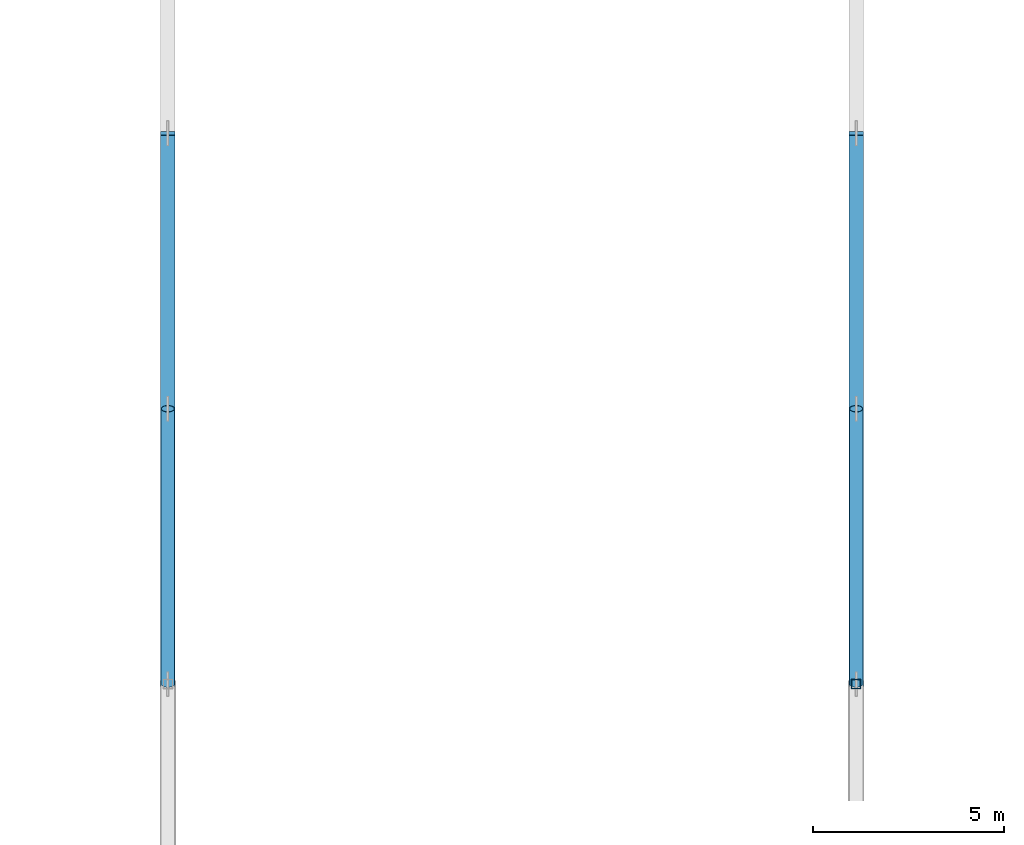
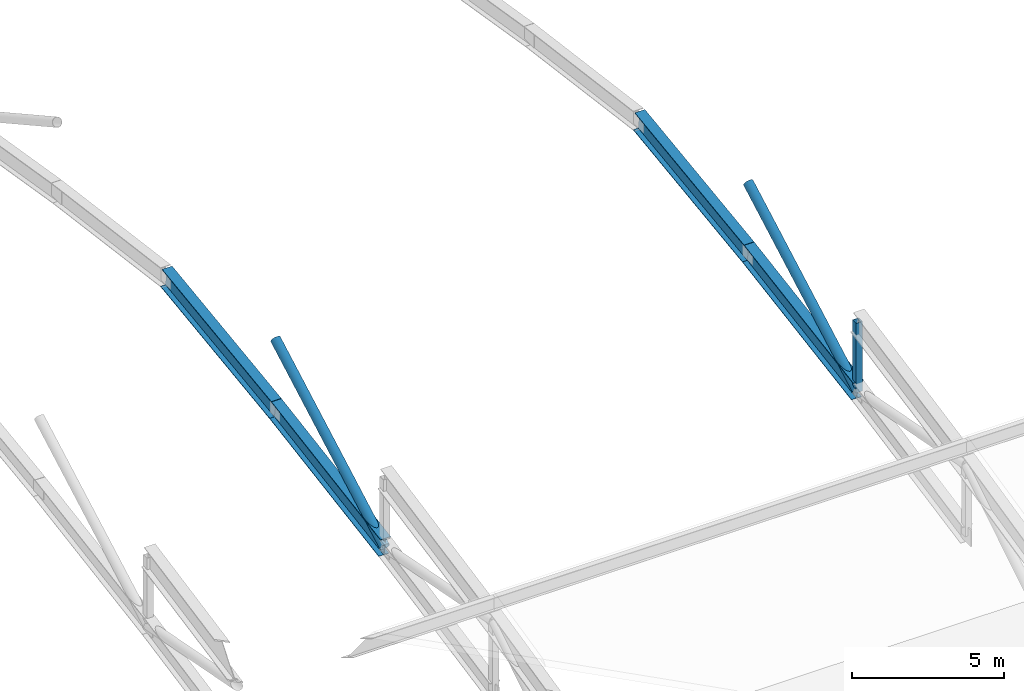
# One storey, part 20 of 124: 7 members.
"""IFC4 building model written with IfcOpenShell, lengths in metres."""

from ifc_helpers import new_model, si_unit, direction, frame, origin, origin_2d, place, context, subcontext, project, spatial, hollow_rectangle, hollow_circle, i_section, extrude, material, material_profile, profile_set, type_object, element, save


model = new_model("IFC4")

# Units and contexts
model_context = context("Model", 3, precision=1e-05, world=origin(), true_north=direction((0.0, 1.0)))
body_context = subcontext(model_context, "Body", "Model", "MODEL_VIEW")
ifc_project = project(units=[si_unit("LENGTHUNIT", "METRE"), si_unit("AREAUNIT", "SQUARE_METRE"), si_unit("VOLUMEUNIT", "CUBIC_METRE"), si_unit("PLANEANGLEUNIT", "RADIAN"), si_unit("MASSUNIT", "GRAM", prefix="KILO")], contexts=[model_context])

# Site, building, storey
site_placement = place(None, origin())
site = spatial("IfcSite", under=ifc_project, at=site_placement, CompositionType="ELEMENT")
building_placement = place(site_placement, origin())
building = spatial("IfcBuilding", under=site, at=building_placement, Name="Celestram Park Convention Centre", CompositionType="ELEMENT")
storey_placement = place(building_placement, frame((0.0, 0.0, 15.300048828125)))
storey = spatial("IfcBuildingStorey", under=building, at=storey_placement, Name="L03", CompositionType="ELEMENT", Elevation=15.300048828125)

# Members
ifc_material_1 = material(Name="Steel ASTM A500 Grade C", Category="steel")
ifc_material_profile_1 = material_profile(ifc_material_1, hollow_circle(Radius=0.177978515625, WallThickness=0.011962890625, at=origin_2d()), Name="CHS356X12")
ifc_profile_set_1 = profile_set([ifc_material_profile_1], Name="Steel ASTM A500 Grade C")
member_type_1 = type_object("IfcMemberType", Name="STR-BRC-CHS356", PredefinedType="BRACE", material=ifc_profile_set_1)
for number, where, z_axis, x_axis, name in (
    (1, (72.0, 50.39990234375, 2.181640625), (0.0, 0.874754026429, 0.484567222629), (-1.0, 0.0, 0.0), "V1 arch web diagonal"),
    (2, (90.0, 50.39990234375, 2.181640625), (0.0, 0.874754026429, 0.484567222629), (-1.0, 0.0, 0.0), "V1 arch web diagonal"),
):
    element("IfcMember", number, at=place(storey_placement, frame(where, z_axis=z_axis, x_axis=x_axis)), inside=storey, type_object=member_type_1, Name=name, PredefinedType="BRACE", context=body_context, shape_type="SweptSolid", body=[
        extrude(hollow_circle(Radius=0.177978515625, WallThickness=0.011962890625, at=origin_2d()), origin(), (0.0, 0.0, 1.0), 8.231201171875),
    ])
ifc_material_2 = material(Name="Steel ASTM A992 Grade 50", Category="steel")
ifc_material_profile_2 = material_profile(ifc_material_2, i_section(OverallWidth=0.381103515625, OverallDepth=0.77197265625, WebThickness=0.0166015625, FlangeThickness=0.027099609375, at=origin_2d()), Name="W30X173")
ifc_profile_set_2 = profile_set([ifc_material_profile_2], Name="Steel ASTM A992 Grade 50")
member_type_2 = type_object("IfcMemberType", Name="STR-CHD-W30X173", PredefinedType="CHORD", material=ifc_profile_set_2)
member_1_placement = place(storey_placement, frame((72.0, 50.39990234375, 2.181640625), z_axis=(0.0, 0.986649508872, 0.162858056734), x_axis=(-1.0, 0.0, 0.0)))
element("IfcMember", 3, at=member_1_placement, inside=storey, type_object=member_type_2, Name="V1 arch bottom chord", PredefinedType="CHORD", context=body_context, shape_type="SweptSolid", body=[
    extrude(i_section(OverallWidth=0.381103515625, OverallDepth=0.77197265625, WebThickness=0.0166015625, FlangeThickness=0.027099609375, at=origin_2d()), origin(), (0.0, 0.0, 1.0), 7.297607421875),
])
member_2_placement = place(storey_placement, frame((72.0, 57.60009765625, 3.3701171875), z_axis=(0.0, 0.991259283276, 0.131928136952), x_axis=(-1.0, 0.0, 0.0)))
element("IfcMember", 4, at=member_2_placement, inside=storey, type_object=member_type_2, Name="V1 arch bottom chord", PredefinedType="CHORD", context=body_context, shape_type="SweptSolid", body=[
    extrude(i_section(OverallWidth=0.381103515625, OverallDepth=0.77197265625, WebThickness=0.0166015625, FlangeThickness=0.027099609375, at=origin_2d()), origin(), (0.0, 0.0, 1.0), 7.263427734375),
])
member_3_placement = place(storey_placement, frame((90.0, 50.39990234375, 2.181640625), z_axis=(0.0, 0.986649508872, 0.162858056734), x_axis=(-1.0, 0.0, 0.0)))
element("IfcMember", 5, at=member_3_placement, inside=storey, type_object=member_type_2, Name="V1 arch bottom chord", PredefinedType="CHORD", context=body_context, shape_type="SweptSolid", body=[
    extrude(i_section(OverallWidth=0.381103515625, OverallDepth=0.77197265625, WebThickness=0.0166015625, FlangeThickness=0.027099609375, at=origin_2d()), origin(), (0.0, 0.0, 1.0), 7.297607421875),
])
member_4_placement = place(storey_placement, frame((90.0, 57.60009765625, 3.3701171875), z_axis=(0.0, 0.991259283276, 0.131928136952), x_axis=(-1.0, 0.0, 0.0)))
element("IfcMember", 6, at=member_4_placement, inside=storey, type_object=member_type_2, Name="V1 arch bottom chord", PredefinedType="CHORD", context=body_context, shape_type="SweptSolid", body=[
    extrude(i_section(OverallWidth=0.381103515625, OverallDepth=0.77197265625, WebThickness=0.0166015625, FlangeThickness=0.027099609375, at=origin_2d()), origin(), (0.0, 0.0, 1.0), 7.263427734375),
])
ifc_material_profile_3 = material_profile(ifc_material_1, hollow_rectangle(XDim=0.25, YDim=0.25, WallThickness=0.011962890625, at=origin_2d()), Name="HSS250X250X12")
ifc_profile_set_3 = profile_set([ifc_material_profile_3], Name="Steel ASTM A500 Grade C")
member_type_3 = type_object("IfcMemberType", Name="STR-STR-HSS250", PredefinedType="STRUT", material=ifc_profile_set_3)
member_5_placement = place(storey_placement, frame((90.0, 50.39990234375, 2.181640625), z_axis=(0.0, 0.0, 1.0), x_axis=(1.0, 0.0, 0.0)))
element("IfcMember", 7, at=member_5_placement, inside=storey, type_object=member_type_3, Name="V1 arch vertical strut", PredefinedType="STRUT", context=body_context, shape_type="SweptSolid", body=[
    extrude(hollow_rectangle(XDim=0.25, YDim=0.25, WallThickness=0.011962890625, at=origin_2d()), origin(), (0.0, 0.0, 1.0), 2.800048828125),
])

save(model, "model.ifc")
